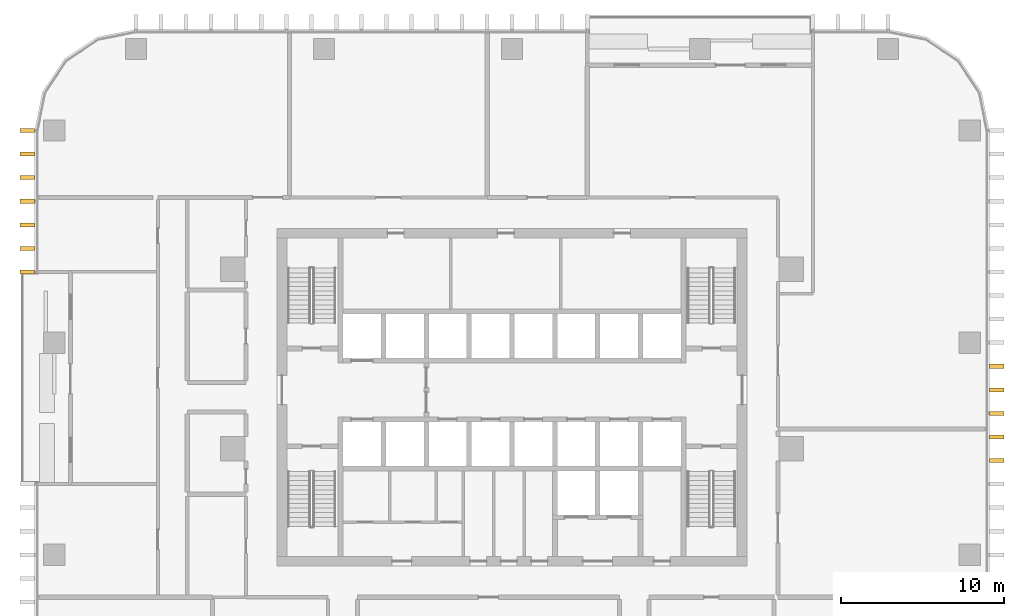
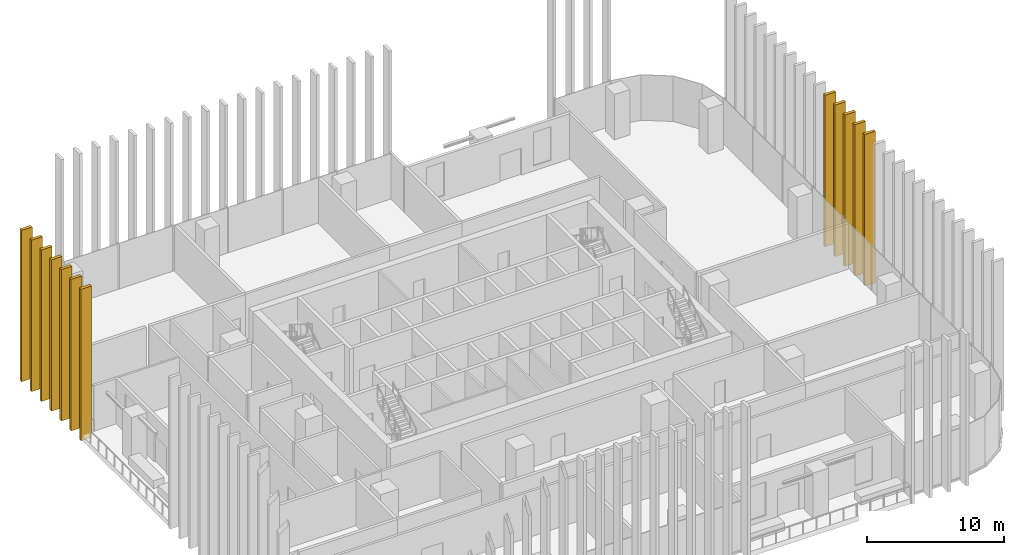
# One storey, part 15 of 17: 12 shading devices.
"""IFC4 building model written with IfcOpenShell, lengths in metres."""

from ifc_helpers import new_model, si_unit, direction, frame, origin, origin_2d, place, context, subcontext, project, spatial, rectangle, extrude, material, type_object, element, save


model = new_model("IFC4")

# Units and contexts
model_context = context("Model", 3, precision=1e-05, world=origin(), true_north=direction((0.0, 1.0)))
body_context = subcontext(model_context, "Body", "Model", "MODEL_VIEW")
ifc_project = project(units=[si_unit("LENGTHUNIT", "METRE"), si_unit("AREAUNIT", "SQUARE_METRE"), si_unit("VOLUMEUNIT", "CUBIC_METRE"), si_unit("PLANEANGLEUNIT", "RADIAN"), si_unit("MASSUNIT", "GRAM", prefix="KILO")], contexts=[model_context])

# Site, building, storey
site_placement = place(None, origin())
site = spatial("IfcSite", under=ifc_project, at=site_placement, CompositionType="ELEMENT")
building_placement = place(site_placement, origin())
building = spatial("IfcBuilding", under=site, at=building_placement, Name="Mopane Tessera Tower", CompositionType="ELEMENT")
storey_placement = place(building_placement, frame((0.0, 0.0, 108.10009765625)))
storey = spatial("IfcBuildingStorey", under=building, at=storey_placement, Name="L21", CompositionType="ELEMENT", Elevation=108.10009765625)

# Shading devices
ifc_material = material(Name="Glazed ceramic tile")
shading_device_type = type_object("IfcShadingDeviceType", Name="Ceramic tile fin 900 x 250 mm", PredefinedType="USERDEFINED", material=ifc_material)
for number, where, z_axis, x_axis, name in (
    (1, (29.699951171875, -0.72216796875, -0.4501953125), (0.0, 0.0, 1.0), (0.0, 1.0, 0.0), "e:fin:L21:E:4:1"),
    (2, (29.699951171875, 0.72216796875, -0.4501953125), (0.0, 0.0, 1.0), (0.0, 1.0, 0.0), "e:fin:L21:E:4:2"),
    (3, (29.699951171875, 2.166748046875, -0.4501953125), (0.0, 0.0, 1.0), (0.0, 1.0, 0.0), "e:fin:L21:E:5:0"),
    (4, (29.699951171875, 3.611083984375, -0.4501953125), (0.0, 0.0, 1.0), (0.0, 1.0, 0.0), "e:fin:L21:E:5:1"),
    (5, (29.699951171875, 5.0556640625, -0.4501953125), (0.0, 0.0, 1.0), (0.0, 1.0, 0.0), "e:fin:L21:E:5:2"),
    (6, (-29.699951171875, 19.5, -0.4501953125), (0.0, 0.0, 1.0), (0.0, -1.0, 0.0), "e:fin:L21:W:0:0"),
    (7, (-29.699951171875, 18.0556640625, -0.4501953125), (0.0, 0.0, 1.0), (0.0, -1.0, 0.0), "e:fin:L21:W:0:1"),
    (8, (-29.699951171875, 16.611083984375, -0.4501953125), (0.0, 0.0, 1.0), (0.0, -1.0, 0.0), "e:fin:L21:W:0:2"),
    (9, (-29.699951171875, 15.166748046875, -0.4501953125), (0.0, 0.0, 1.0), (0.0, -1.0, 0.0), "e:fin:L21:W:1:0"),
    (10, (-29.699951171875, 13.72216796875, -0.4501953125), (0.0, 0.0, 1.0), (0.0, -1.0, 0.0), "e:fin:L21:W:1:1"),
    (11, (-29.699951171875, 12.27783203125, -0.4501953125), (0.0, 0.0, 1.0), (0.0, -1.0, 0.0), "e:fin:L21:W:1:2"),
    (12, (-29.699951171875, 10.833251953125, -0.4501953125), (0.0, 0.0, 1.0), (0.0, -1.0, 0.0), "e:fin:L21:W:1:3"),
):
    element("IfcShadingDevice", number, at=place(storey_placement, frame(where, z_axis=z_axis, x_axis=x_axis)), inside=storey, type_object=shading_device_type, Name=name, ObjectType="FIN", PredefinedType="USERDEFINED", context=body_context, shape_type="SweptSolid", body=[
        extrude(rectangle(XDim=0.25, YDim=0.89990234375, at=origin_2d()), origin(), (0.0, 0.0, 1.0), 13.5),
    ])

save(model, "model.ifc")
